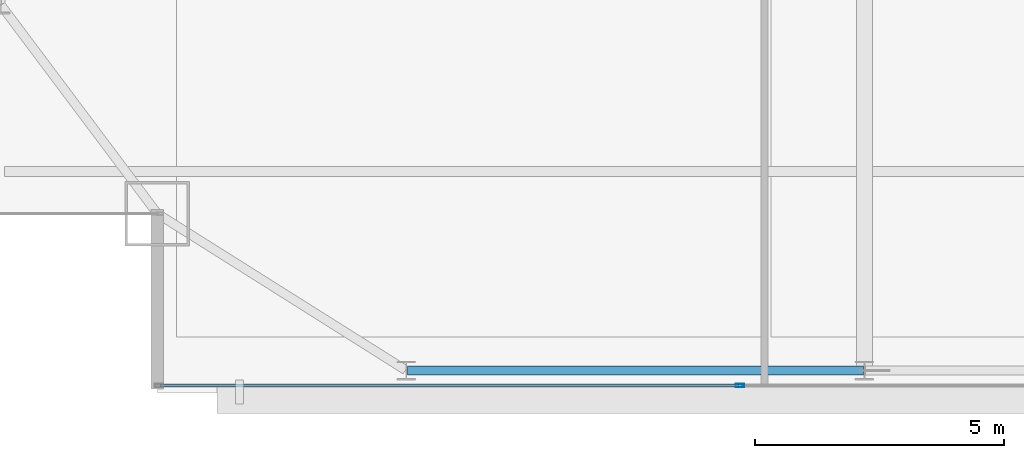
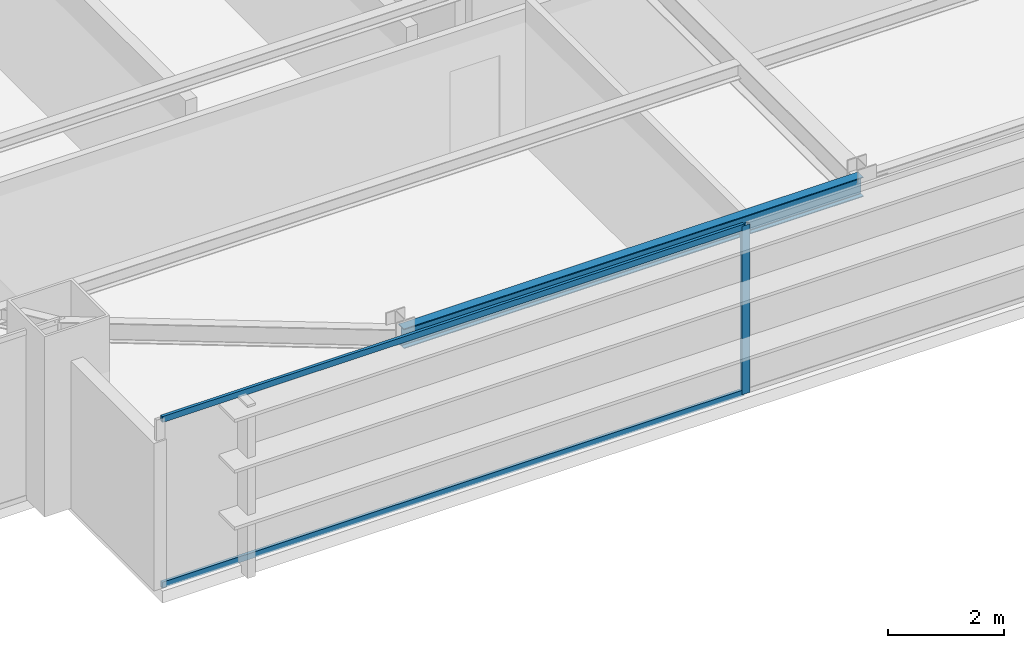
# One storey, part 5 of 29: 3 members, 1 beam, 1 element without a shape of its own.
"""IFC4 building model written with IfcOpenShell, lengths in metres."""

from ifc_helpers import new_model, si_unit, direction, frame, origin, origin_2d, place, context, subcontext, project, spatial, hollow_rectangle, i_section, extrude, source, transform, mapped, material, layer, layer_set, material_profile, profile_set, type_object, type_shapes, element, aggregate, save


model = new_model("IFC4")

# Units and contexts
model_context = context("Model", 3, precision=1e-05, world=origin(), true_north=direction((0.0, 1.0)))
body_context = subcontext(model_context, "Body", "Model", "MODEL_VIEW")
ifc_project = project(units=[si_unit("LENGTHUNIT", "METRE"), si_unit("AREAUNIT", "SQUARE_METRE"), si_unit("VOLUMEUNIT", "CUBIC_METRE"), si_unit("PLANEANGLEUNIT", "RADIAN"), si_unit("MASSUNIT", "GRAM", prefix="KILO")], contexts=[model_context])

# Site, building, storey
site_placement = place(None, origin())
site = spatial("IfcSite", under=ifc_project, at=site_placement, CompositionType="ELEMENT")
building_placement = place(site_placement, origin())
building = spatial("IfcBuilding", under=site, at=building_placement, Name="Varnel Quay Broadcast Tower", CompositionType="ELEMENT")
storey_placement = place(building_placement, frame((0.0, 0.0, 172.39990234375)))
storey = spatial("IfcBuildingStorey", under=building, at=storey_placement, Name="L42", CompositionType="ELEMENT", Elevation=172.39990234375)

# Beam
ifc_material_1 = material(Name="Structural Steel CSA G40.21 350W", Category="steel")
ifc_material_profile_1 = material_profile(ifc_material_1, i_section(OverallWidth=0.180908203125, OverallDepth=0.4169921875, WebThickness=0.010986328125, FlangeThickness=0.018310546875, FilletRadius=0.011962890625, at=origin_2d()), Name="W410X85")
ifc_profile_set_1 = profile_set([ifc_material_profile_1], Name="Structural Steel CSA G40.21 350W")
beam_type = type_object("IfcBeamType", Name="Beam_W410X85", PredefinedType="SPANDREL", material=ifc_profile_set_1)
shared_shape_1 = source(origin(), body_context, "Body", "SweptSolid", [
    extrude(i_section(OverallWidth=0.180908203125, OverallDepth=0.4169921875, WebThickness=0.010986328125, FlangeThickness=0.018310546875, FilletRadius=0.011962890625, at=origin_2d()), origin(), (0.0, 0.0, 1.0), 9.159912109375),
])
type_shapes(beam_type, [shared_shape_1])
beam_placement = place(storey_placement, frame((15.6201171875, 7.64990234375, 3.341552734375), z_axis=(1.0, 0.0, 0.0), x_axis=(0.0, 1.0, 0.0)))
element("IfcBeam", 1, at=beam_placement, inside=storey, type_object=beam_type, Name="L42 South Spandrel TC-S1-TC-S2", PredefinedType="SPANDREL", context=body_context, shape_type="MappedRepresentation", body=[
    mapped(shared_shape_1, transform((0.0, 0.0, 0.0), x_axis=(1.0, 0.0, 0.0), y_axis=(0.0, 1.0, 0.0), z_axis=(0.0, 0.0, 1.0), scale=1.0)),
])

# Curtain wall, members
ifc_material_2 = material(Name="Anodised Bronze Aluminium 6063-T6", Category="aluminium")
ifc_layer = layer(ifc_material_2, 0.18994140625, Name="Anodised Bronze Aluminium 6063-T6")
ifc_layer_set = layer_set([ifc_layer], Name="Anodised Bronze Aluminium 6063-T6")
curtain_wall_type = type_object("IfcCurtainWallType", Name="CW_UpperTower", PredefinedType="NOTDEFINED", material=ifc_layer_set)
curtain_wall_placement = place(storey_placement, origin())
curtain_wall = element("IfcCurtainWall", 2, at=curtain_wall_placement, inside=storey, type_object=curtain_wall_type, Name="L42 South Unitised Curtain Wall 1", PredefinedType="NOTDEFINED")
ifc_material_profile_2 = material_profile(ifc_material_2, hollow_rectangle(XDim=0.06494140625, YDim=0.1650390625, WallThickness=0.00341796875, at=origin_2d()), Name="ALU65X165X3.5")
ifc_profile_set_2 = profile_set([ifc_material_profile_2], Name="Anodised Bronze Aluminium 6063-T6")
member_type_1 = type_object("IfcMemberType", Name="Mull_CWS-03", PredefinedType="MULLION", material=ifc_profile_set_2)
shared_shape_2 = source(origin(), body_context, "Body", "SweptSolid", [
    extrude(hollow_rectangle(XDim=0.06494140625, YDim=0.1650390625, WallThickness=0.00341796875, at=origin_2d()), origin(), (0.0, 0.0, 1.0), 3.550048828125),
])
type_shapes(member_type_1, [shared_shape_2])
member_1_placement = place(storey_placement, frame((22.300048828125, 7.35009765625, 0.0), z_axis=(0.0, 0.0, 1.0), x_axis=(0.0, 1.0, 0.0)))
member_1 = element("IfcMember", 3, at=member_1_placement, type_object=member_type_1, Name="CWS-03 mullion 2", PredefinedType="MULLION", context=body_context, shape_type="MappedRepresentation", body=[
    mapped(shared_shape_2, transform((0.0, 0.0, 0.0), x_axis=(1.0, 0.0, 0.0), y_axis=(0.0, 1.0, 0.0), z_axis=(0.0, 0.0, 1.0), scale=1.0)),
])
ifc_material_profile_3 = material_profile(ifc_material_2, hollow_rectangle(XDim=0.06005859375, YDim=0.125, WallThickness=0.0029296875, at=origin_2d()), Name="ALU60X125X3")
ifc_profile_set_3 = profile_set([ifc_material_profile_3], Name="Anodised Bronze Aluminium 6063-T6")
member_type_2 = type_object("IfcMemberType", Name="Tran_CWS-03", PredefinedType="USERDEFINED", material=ifc_profile_set_3)
shared_shape_3 = source(origin(), body_context, "Body", "SweptSolid", [
    extrude(hollow_rectangle(XDim=0.06005859375, YDim=0.125, WallThickness=0.0029296875, at=origin_2d()), origin(), (0.0, 0.0, 1.0), 11.6025390625),
])
type_shapes(member_type_2, [shared_shape_3])
member_2_placement = place(storey_placement, frame((10.6650390625, 7.35009765625, 0.030029296875), z_axis=(1.0, 0.0, 0.0), x_axis=(0.0, 1.0, 0.0)))
member_2 = element("IfcMember", 4, at=member_2_placement, type_object=member_type_2, Name="CWS-03 transom 1.1", ObjectType="TRANSOM", PredefinedType="USERDEFINED", context=body_context, shape_type="MappedRepresentation", body=[
    mapped(shared_shape_3, transform((0.0, 0.0, 0.0), x_axis=(1.0, 0.0, 0.0), y_axis=(0.0, 1.0, 0.0), z_axis=(0.0, 0.0, 1.0), scale=1.0)),
])
member_3_placement = place(storey_placement, frame((10.6650390625, 7.35009765625, 3.52001953125), z_axis=(1.0, 0.0, 0.0), x_axis=(0.0, 1.0, 0.0)))
member_3 = element("IfcMember", 5, at=member_3_placement, type_object=member_type_2, Name="CWS-03 transom 1.2", ObjectType="TRANSOM", PredefinedType="USERDEFINED", context=body_context, shape_type="MappedRepresentation", body=[
    mapped(shared_shape_3, transform((0.0, 0.0, 0.0), x_axis=(1.0, 0.0, 0.0), y_axis=(0.0, 1.0, 0.0), z_axis=(0.0, 0.0, 1.0), scale=1.0)),
])
aggregate(curtain_wall, [member_1, member_2, member_3])

save(model, "model.ifc")
